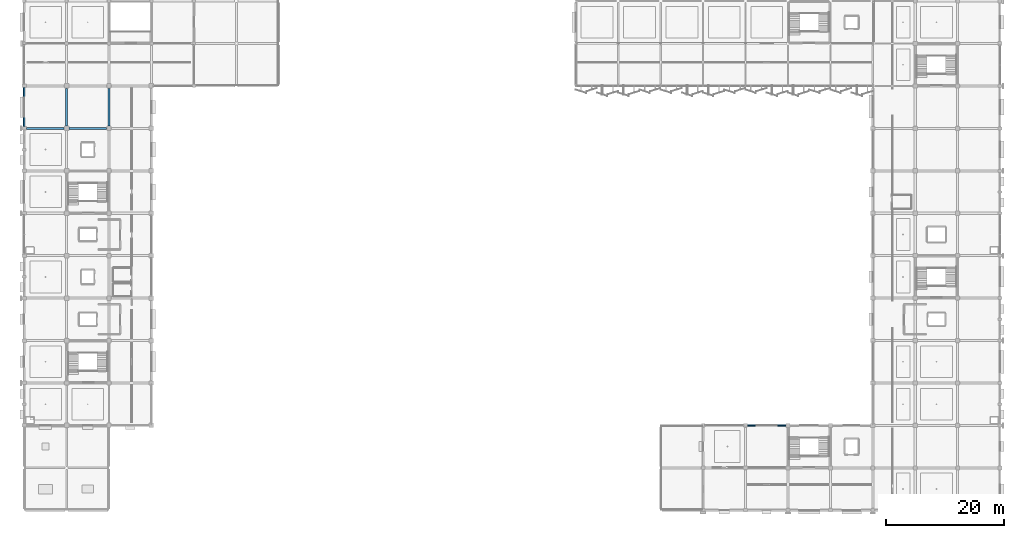
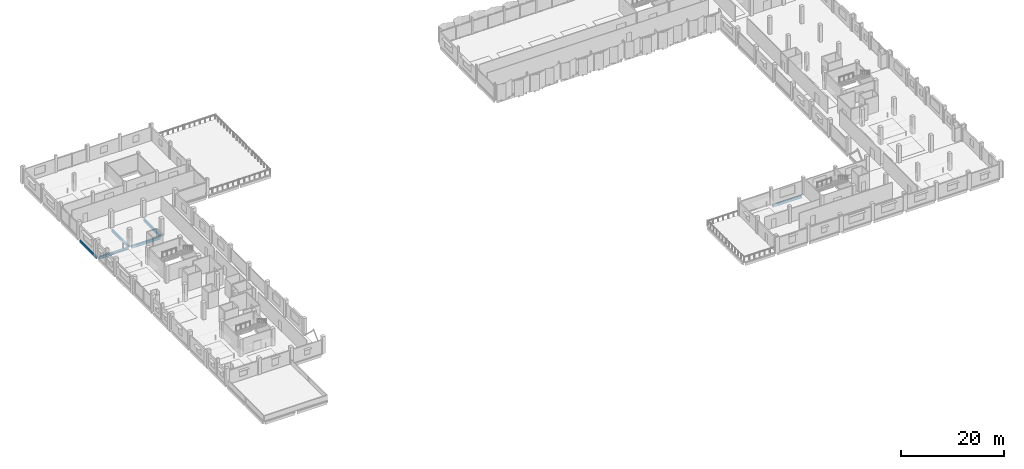
# One storey, part 16 of 91: 6 beams.
"""IFC4 building model written with IfcOpenShell, lengths in metres."""

import ifcopenshell
import ifcopenshell.guid

model = None  # the IFC model being written
_history = None  # IfcOwnerHistory: only IFC2X3 demands one
_inside = {}  # id of a spatial element -> (the spatial element, [elements in it])
_under = {}  # id of a project, library or spatial element -> (it, [spatial elements below it])
_declared = {}  # id of a project -> (the project, [libraries it declares])
_typed = {}  # id of a type object -> (the type object, [elements of that type])
_made_of = {}  # id of a material, layer set ... -> (it, [elements and type objects made of it])


def new_model(schema):
    """Start an empty IFC model of exactly this schema.

    Asked for "IFC4X3", IfcOpenShell would pick the latest addendum, in which some entities
    have other attributes; the version numbers below select the first issue.
    IFC2X3 requires an IfcOwnerHistory on every rooted entity: one is made here for all.
    """
    global model, _history
    if schema == "IFC4X3":
        model = ifcopenshell.file(schema_version=(4, 3, 0, 0))
    else:
        model = ifcopenshell.file(schema=schema)
    _inside.clear()
    _under.clear()
    _declared.clear()
    _typed.clear()
    _made_of.clear()
    _history = None
    if model.schema == "IFC2X3":
        org = make("IfcOrganization", Name="unknown")
        user = make(
            "IfcPersonAndOrganization",
            ThePerson=make("IfcPerson", FamilyName="unknown"),
            TheOrganization=org,
        )
        app = make(
            "IfcApplication",
            ApplicationDeveloper=org,
            Version="unknown",
            ApplicationFullName="unknown",
            ApplicationIdentifier="unknown",
        )
        _history = make(
            "IfcOwnerHistory",
            OwningUser=user,
            OwningApplication=app,
            ChangeAction="ADDED",
            CreationDate=0,
        )
    return model


def make(cls, **values):
    """One entity of the class cls with the attributes given. An attribute that is None is left unset."""
    return model.create_entity(
        cls, **{name: value for name, value in values.items() if value is not None}
    )


def rooted(cls, **values):
    """An entity with a GlobalId (a new one), such as an element, a storey or a relation."""
    return make(cls, GlobalId=ifcopenshell.guid.new(), OwnerHistory=_history, **values)


def si_unit(unit_type, name, prefix=None):
    """IfcSIUnit, for example si_unit("LENGTHUNIT", "METRE", prefix="MILLI")."""
    return make("IfcSIUnit", UnitType=unit_type, Prefix=prefix, Name=name)


def assignment(units):
    """IfcUnitAssignment: the units of a project."""
    return None if units is None else make("IfcUnitAssignment", Units=units)


def point(xyz):
    """IfcCartesianPoint."""
    return None if xyz is None else make("IfcCartesianPoint", Coordinates=xyz)


def direction(xyz):
    """IfcDirection."""
    return None if xyz is None else make("IfcDirection", DirectionRatios=xyz)


def frame(location, z_axis=None, x_axis=None):
    """IfcAxis2Placement3D, a coordinate frame: its origin and axes. An axis left out is left unset."""
    return make(
        "IfcAxis2Placement3D",
        Location=point(location),
        Axis=direction(z_axis),
        RefDirection=direction(x_axis),
    )


def frame_2d(location, x_axis=None):
    """IfcAxis2Placement2D, a coordinate frame in the plane: its origin and x axis."""
    return make(
        "IfcAxis2Placement2D", Location=point(location), RefDirection=direction(x_axis)
    )


def origin():
    """The frame at (0, 0, 0) with its axes left unset."""
    return frame((0.0, 0.0, 0.0))


def origin_2d():
    """The frame at (0, 0) in the plane with its x axis left unset."""
    return frame_2d((0.0, 0.0))


def place(relative_to, where):
    """IfcLocalPlacement: puts the frame where relative to a parent placement (None: the world)."""
    return make(
        "IfcLocalPlacement", PlacementRelTo=relative_to, RelativePlacement=where
    )


def context(
    kind, dimensions, precision=None, world=None, true_north=None, identifier=None
):
    """IfcGeometricRepresentationContext, for example the 3D "Model" context."""
    return make(
        "IfcGeometricRepresentationContext",
        ContextIdentifier=identifier,
        ContextType=kind,
        CoordinateSpaceDimension=dimensions,
        Precision=precision,
        WorldCoordinateSystem=world,
        TrueNorth=true_north,
    )


def subcontext(parent, identifier, kind, view, scale=None):
    """IfcGeometricRepresentationSubContext, for example "Body" below "Model"."""
    return make(
        "IfcGeometricRepresentationSubContext",
        ContextIdentifier=identifier,
        ContextType=kind,
        ParentContext=parent,
        TargetScale=scale,
        TargetView=view,
    )


def project(units=None, contexts=None):
    """IfcProject with its units and contexts."""
    return rooted(
        "IfcProject",
        Name="project",
        RepresentationContexts=contexts,
        UnitsInContext=assignment(units),
    )


def spatial(cls, under=None, at=None, **own):
    """A site, building, storey or space (cls), placed at a placement, below another one or the project."""
    s = rooted(cls, ObjectPlacement=at, **own)
    if under is not None:
        _under.setdefault(under.id(), (under, []))[1].append(s)
    return s


def profile(cls, at=None, kind="AREA", **sizes):
    """A parametric profile (cls). Its sizes go by their IFC names, for example OverallWidth=200.0."""
    return make(cls, ProfileType=kind, Position=at, **sizes)


def rectangle(**sizes):
    """IfcRectangleProfileDef."""
    return profile("IfcRectangleProfileDef", **sizes)


def extrude(swept, where, along, depth):
    """IfcExtrudedAreaSolid: the profile swept, set in the frame where, extruded along a direction by depth."""
    return make(
        "IfcExtrudedAreaSolid",
        SweptArea=swept,
        Position=where,
        ExtrudedDirection=direction(along),
        Depth=depth,
    )


def shape(context_of_items, identifier, shape_type, items):
    """IfcShapeRepresentation: the items that make up one representation, for example the "Body"."""
    return make(
        "IfcShapeRepresentation",
        ContextOfItems=context_of_items,
        RepresentationIdentifier=identifier,
        RepresentationType=shape_type,
        Items=items,
    )


def material(Name=None, Category=None):
    """IfcMaterial."""
    return make("IfcMaterial", Name=Name, Category=Category)


def material_profile(
    of_material, cross_section, Name=None, Category=None, Priority=None
):
    """IfcMaterialProfile: a cross section and its material."""
    return make(
        "IfcMaterialProfile",
        Name=Name,
        Material=of_material,
        Profile=cross_section,
        Priority=Priority,
        Category=Category,
    )


def profile_set(profiles, Name=None, composite=None):
    """IfcMaterialProfileSet."""
    return make(
        "IfcMaterialProfileSet",
        Name=Name,
        MaterialProfiles=profiles,
        CompositeProfile=composite,
    )


def made_of(thing, what):
    """Note that an element or type object is made of a material, layer set ...; save() writes the relation."""
    if what is not None:
        _made_of.setdefault(what.id(), (what, []))[1].append(thing)
    return thing


def type_object(cls, material=None, **own):
    """A type object (cls), such as IfcWallType, which elements share."""
    return made_of(rooted(cls, **own), material)


def element(
    cls,
    number,
    at=None,
    inside=None,
    cuts=None,
    type_object=None,
    material=None,
    context=None,
    identifier="Body",
    shape_type=None,
    held_by="IfcProductDefinitionShape",
    body=None,
    shapes=None,
    **own,
):
    """One element of the class cls, such as IfcWall. Its Tag is "e" and its number.

    at: its placement. inside: the storey or other place that contains it. cuts: it is an
    opening in that element (IfcRelVoidsElement). A single representation is given by context,
    identifier, shape_type and body (its items); several are given by shapes. held_by: the class
    of the entity that holds the representations. save() writes the other relations.
    """
    e = rooted(cls, Tag="e%d" % number, ObjectPlacement=at, **own)
    if body is not None:
        shapes = [shape(context, identifier, shape_type, body)]
    if shapes is not None:
        e.Representation = make(held_by, Representations=shapes)
    if inside is not None:
        _inside.setdefault(inside.id(), (inside, []))[1].append(e)
    if cuts is not None:
        rooted(
            "IfcRelVoidsElement", RelatingBuildingElement=cuts, RelatedOpeningElement=e
        )
    if type_object is not None:
        _typed.setdefault(type_object.id(), (type_object, []))[1].append(e)
    return made_of(e, material)


def aggregate(whole, parts):
    """IfcRelAggregates: a whole, such as a stair, and the parts it consists of."""
    return rooted("IfcRelAggregates", RelatingObject=whole, RelatedObjects=parts)


def save(model, path):
    """Write the relations noted so far, then the file.

    IfcRelAggregates (storeys below a building ...), IfcRelContainedInSpatialStructure (elements
    in a storey), IfcRelDefinesByType, IfcRelAssociatesMaterial and IfcRelDeclares: one each for
    every whole, place, type object, material and project.
    """
    for whole, parts in _under.values():
        aggregate(whole, parts)
    for where, things in _inside.values():
        rooted(
            "IfcRelContainedInSpatialStructure",
            RelatedElements=things,
            RelatingStructure=where,
        )
    for kind, things in _typed.values():
        rooted("IfcRelDefinesByType", RelatedObjects=things, RelatingType=kind)
    for what, things in _made_of.values():
        rooted("IfcRelAssociatesMaterial", RelatedObjects=things, RelatingMaterial=what)
    for by, libraries in _declared.values():
        rooted("IfcRelDeclares", RelatingContext=by, RelatedDefinitions=libraries)
    model.write(path)


model = new_model("IFC4")

# Units and contexts
model_context = context("Model", 3, precision=1e-05, world=origin(), true_north=direction((0.0, 1.0)))
body_context = subcontext(model_context, "Body", "Model", "MODEL_VIEW")
ifc_project = project(units=[si_unit("LENGTHUNIT", "METRE"), si_unit("AREAUNIT", "SQUARE_METRE"), si_unit("VOLUMEUNIT", "CUBIC_METRE"), si_unit("PLANEANGLEUNIT", "RADIAN"), si_unit("MASSUNIT", "GRAM", prefix="KILO")], contexts=[model_context])

# Site, building, storey
site_placement = place(None, origin())
site = spatial("IfcSite", under=ifc_project, at=site_placement, CompositionType="ELEMENT")
building_placement = place(site_placement, origin())
building = spatial("IfcBuilding", under=site, at=building_placement, Name="Kangsadwip Square Police Headquarters", CompositionType="ELEMENT")
storey_placement = place(building_placement, frame((0.0, 0.0, 13.5)))
storey = spatial("IfcBuildingStorey", under=building, at=storey_placement, Name="L03", CompositionType="ELEMENT", Elevation=13.5)

# Beams
ifc_material_1 = material(Name="Concrete M35 (35 MPa)", Category="concrete")
ifc_material_profile_1 = material_profile(ifc_material_1, rectangle(XDim=0.35009765625, YDim=0.60009765625, at=origin_2d()), Name="RC BM 600X350")
ifc_profile_set_1 = profile_set([ifc_material_profile_1], Name="Concrete M35 (35 MPa)")
beam_type_1 = type_object("IfcBeamType", Name="RcBeam600x350", PredefinedType="BEAM", material=ifc_profile_set_1)
beam_1_placement = place(storey_placement, frame((0.39990234375, 86.39990234375, -0.5400390625), z_axis=(1.0, 0.0, 0.0), x_axis=(0.0, 1.0, 0.0)))
element("IfcBeam", 1, at=beam_1_placement, inside=storey, type_object=beam_type_1, Name="Beam BM-L03-X-00-12", PredefinedType="BEAM", context=body_context, shape_type="SweptSolid", body=[
    extrude(rectangle(XDim=0.35009765625, YDim=0.60009765625, at=origin_2d()), origin(), (0.0, 0.0, 1.0), 6.400146484375),
])
for number, where, z_axis, x_axis, name in (
    (2, (7.60009765625, 86.39990234375, -0.5400390625), (1.0, 0.0, 0.0), (0.0, 1.0, 0.0), "Beam BM-L03-X-01-12"),
    (3, (7.199951171875, 86.800048828125, -0.5400390625), (0.0, 1.0, 0.0), (-1.0, 0.0, 0.0), "Beam BM-L03-Y-01-12"),
    (4, (14.39990234375, 86.800048828125, -0.5400390625), (0.0, 1.0, 0.0), (-1.0, 0.0, 0.0), "Beam BM-L03-Y-02-12"),
):
    element("IfcBeam", number, at=place(storey_placement, frame(where, z_axis=z_axis, x_axis=x_axis)), inside=storey, type_object=beam_type_1, Name=name, PredefinedType="BEAM", context=body_context, shape_type="SweptSolid", body=[
        extrude(rectangle(XDim=0.35009765625, YDim=0.60009765625, at=origin_2d()), origin(), (0.0, 0.0, 1.0), 6.39990234375),
    ])
ifc_material_2 = material(Name="Concrete M40 (40 MPa)", Category="concrete")
ifc_material_profile_2 = material_profile(ifc_material_2, rectangle(XDim=0.280029296875, YDim=0.60009765625, at=origin_2d()), Name="RC SPN 600X280")
ifc_profile_set_2 = profile_set([ifc_material_profile_2], Name="Concrete M40 (40 MPa)")
beam_type_2 = type_object("IfcBeamType", Name="RcSpandrel600x280", PredefinedType="SPANDREL", material=ifc_profile_set_2)
beam_2_placement = place(storey_placement, frame((122.72509765625, 36.0, -0.5400390625), z_axis=(1.0, 0.0, 0.0), x_axis=(0.0, 1.0, 0.0)))
element("IfcBeam", 5, at=beam_2_placement, inside=storey, type_object=beam_type_2, Name="Beam BM-L03-X-17-05", PredefinedType="SPANDREL", context=body_context, shape_type="SweptSolid", body=[
    extrude(rectangle(XDim=0.280029296875, YDim=0.60009765625, at=origin_2d()), origin(), (0.0, 0.0, 1.0), 6.52490234375),
])
beam_3_placement = place(storey_placement, frame((0.0, 86.699951171875, -0.5400390625), z_axis=(0.0, 1.0, 0.0), x_axis=(-1.0, 0.0, 0.0)))
element("IfcBeam", 6, at=beam_3_placement, inside=storey, type_object=beam_type_2, Name="Beam BM-L03-Y-00-12", PredefinedType="SPANDREL", context=body_context, shape_type="SweptSolid", body=[
    extrude(rectangle(XDim=0.280029296875, YDim=0.60009765625, at=origin_2d()), origin(), (0.0, 0.0, 1.0), 6.60009765625),
])

save(model, "model.ifc")
